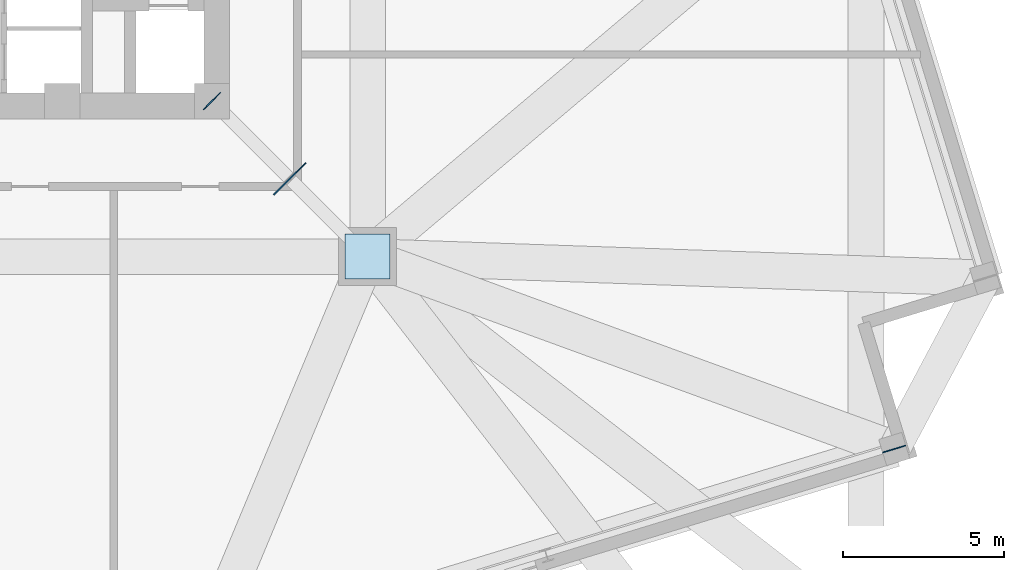
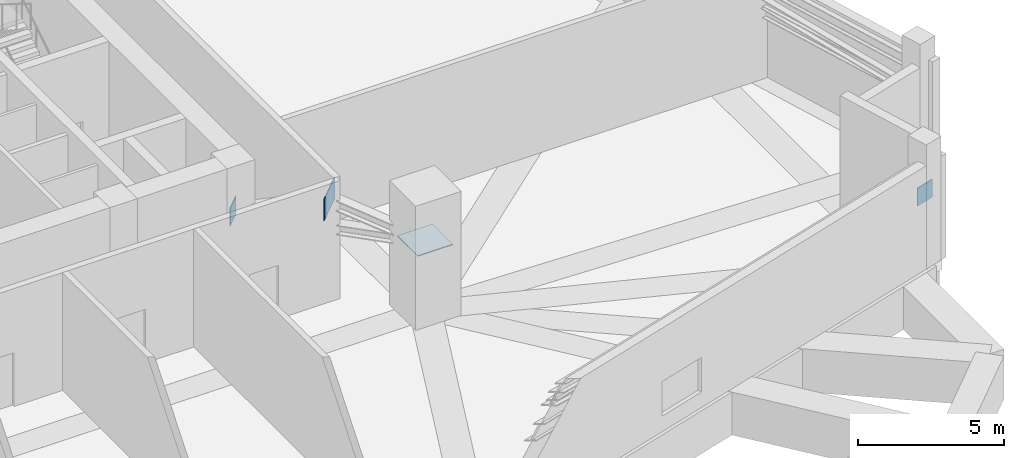
# One storey, part 13 of 22: 4 plates.
"""IFC4 building model written with IfcOpenShell, lengths in metres."""

from ifc_helpers import new_model, si_unit, direction, frame, origin, origin_2d, place, context, subcontext, project, spatial, rectangle, extrude, source, transform, mapped, material, layer, layer_set, type_object, element, save


model = new_model("IFC4")

# Units and contexts
model_context = context("Model", 3, precision=1e-05, world=origin(), true_north=direction((0.0, 1.0)))
body_context = subcontext(model_context, "Body", "Model", "MODEL_VIEW")
ifc_project = project(units=[si_unit("LENGTHUNIT", "METRE"), si_unit("AREAUNIT", "SQUARE_METRE"), si_unit("VOLUMEUNIT", "CUBIC_METRE"), si_unit("PLANEANGLEUNIT", "RADIAN"), si_unit("MASSUNIT", "GRAM", prefix="KILO"), si_unit("THERMODYNAMICTEMPERATUREUNIT", "KELVIN")], contexts=[model_context])

# Site, building, storey
site_placement = place(None, origin())
site = spatial("IfcSite", under=ifc_project, at=site_placement, CompositionType="ELEMENT")
building_placement = place(site_placement, origin())
building = spatial("IfcBuilding", under=site, at=building_placement, Name="Kosmvard Interchange Tower", CompositionType="ELEMENT")
storey_placement = place(building_placement, frame((0.0, 0.0, 78.0)))
storey = spatial("IfcBuildingStorey", under=building, at=storey_placement, Name="L18", CompositionType="ELEMENT", Elevation=78.0)

# Plates
ifc_material = material(Name="Steel S460", Category="steel")
ifc_layer_1 = layer(ifc_material, 0.031982421875, Name="Steel S460")
ifc_layer_set_1 = layer_set([ifc_layer_1], Name="Steel S460")
plate_type_1 = type_object("IfcPlateType", Name="Belt Truss Gusset Plate 1100x1100x32 S460", PredefinedType="USERDEFINED", material=ifc_layer_set_1)
shared_shape_1 = source(origin(), body_context, "Body", "SweptSolid", [
    extrude(rectangle(XDim=0.75, YDim=0.031982421875, at=origin_2d()), origin(), (0.0, 0.0, 1.0), 0.75),
])
for number, where, z_axis, x_axis, name in (
    (1, (8.25, -8.25, 2.544921875), (0.0, 0.0, 1.0), (0.707106781187, 0.707106781187, 0.0), "L18 Outrigger Core End Gusset Plate 2"),
    (2, (29.431396484375, -19.052490234375, 2.445068359375), (0.0, 0.0, 1.0), (0.956304755963, 0.292371704723, 0.0), "L18 Belt Truss End Gusset Plate BBS"),
):
    element("IfcPlate", number, at=place(storey_placement, frame(where, z_axis=z_axis, x_axis=x_axis)), inside=storey, type_object=plate_type_1, Name=name, ObjectType="GUSSET_PLATE", PredefinedType="USERDEFINED", context=body_context, shape_type="MappedRepresentation", body=[
        mapped(shared_shape_1, transform((0.0, 0.0, 0.0), scale=1.0)),
    ])
ifc_layer_2 = layer(ifc_material, 0.035888671875, Name="Steel S460")
ifc_layer_set_2 = layer_set([ifc_layer_2], Name="Steel S460")
plate_type_2 = type_object("IfcPlateType", Name="Outrigger Node Gusset Plate 1400x1400x36 S460", PredefinedType="USERDEFINED", material=ifc_layer_set_2)
shared_shape_2 = source(origin(), body_context, "Body", "SweptSolid", [
    extrude(rectangle(XDim=1.39990234375, YDim=0.035888671875, at=origin_2d()), origin(), (0.0, 0.0, 1.0), 0.89990234375),
])
plate_1_placement = place(storey_placement, frame((10.66552734375, -10.66552734375, 3.580078125), z_axis=(0.0, 0.0, 1.0), x_axis=(0.707106781187, 0.707106781187, 0.0)))
element("IfcPlate", 3, at=plate_1_placement, inside=storey, type_object=plate_type_2, Name="L18 Outrigger Node Gusset Plate 2", ObjectType="GUSSET_PLATE", PredefinedType="USERDEFINED", context=body_context, shape_type="MappedRepresentation", body=[
    mapped(shared_shape_2, transform((0.0, 0.0, 0.0), scale=1.0)),
])
ifc_layer_3 = layer(ifc_material, 0.034912109375, Name="Steel S460")
ifc_layer_set_3 = layer_set([ifc_layer_3], Name="Steel S460")
plate_type_3 = type_object("IfcPlateType", Name="Mega-Column Splice Flange Plate 1400x1400x35 S460", PredefinedType="USERDEFINED", material=ifc_layer_set_3)
shared_shape_3 = source(origin(), body_context, "Body", "SweptSolid", [
    extrude(rectangle(XDim=1.39990234375, YDim=1.39990234375, at=origin_2d()), origin(), (0.0, 0.0, 1.0), 0.034912109375),
])
plate_2_placement = place(storey_placement, frame((13.0810546875, -13.0810546875, 2.90234375), z_axis=(0.0, 0.0, 1.0), x_axis=(1.0, 0.0, 0.0)))
element("IfcPlate", 4, at=plate_2_placement, inside=storey, type_object=plate_type_3, Name="L18 Mega-Column Splice Flange Plate 2", ObjectType="FLANGE_PLATE", PredefinedType="USERDEFINED", context=body_context, shape_type="MappedRepresentation", body=[
    mapped(shared_shape_3, transform((0.0, 0.0, 0.0), scale=1.0)),
])

save(model, "model.ifc")
